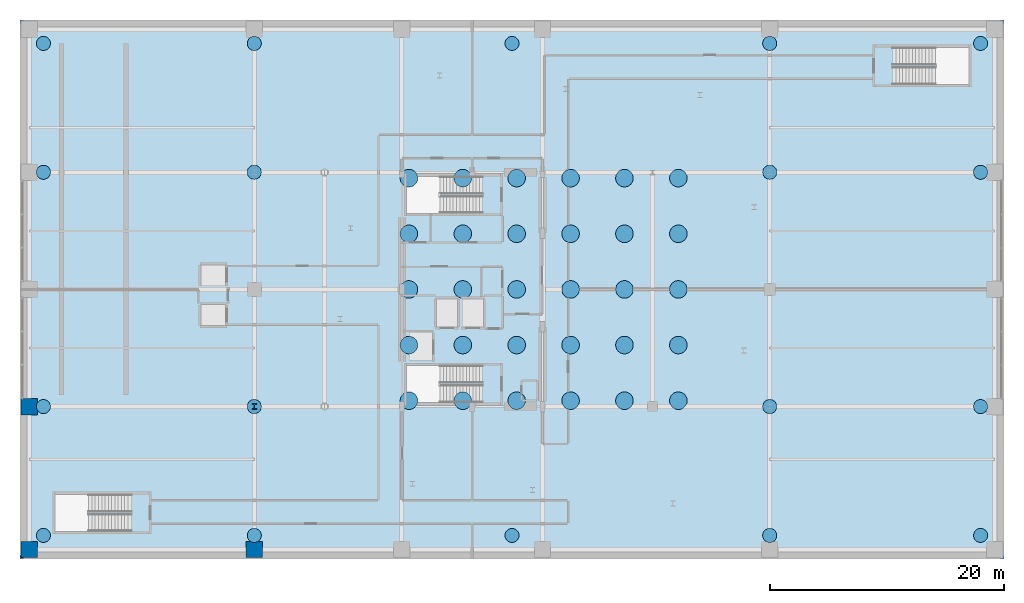
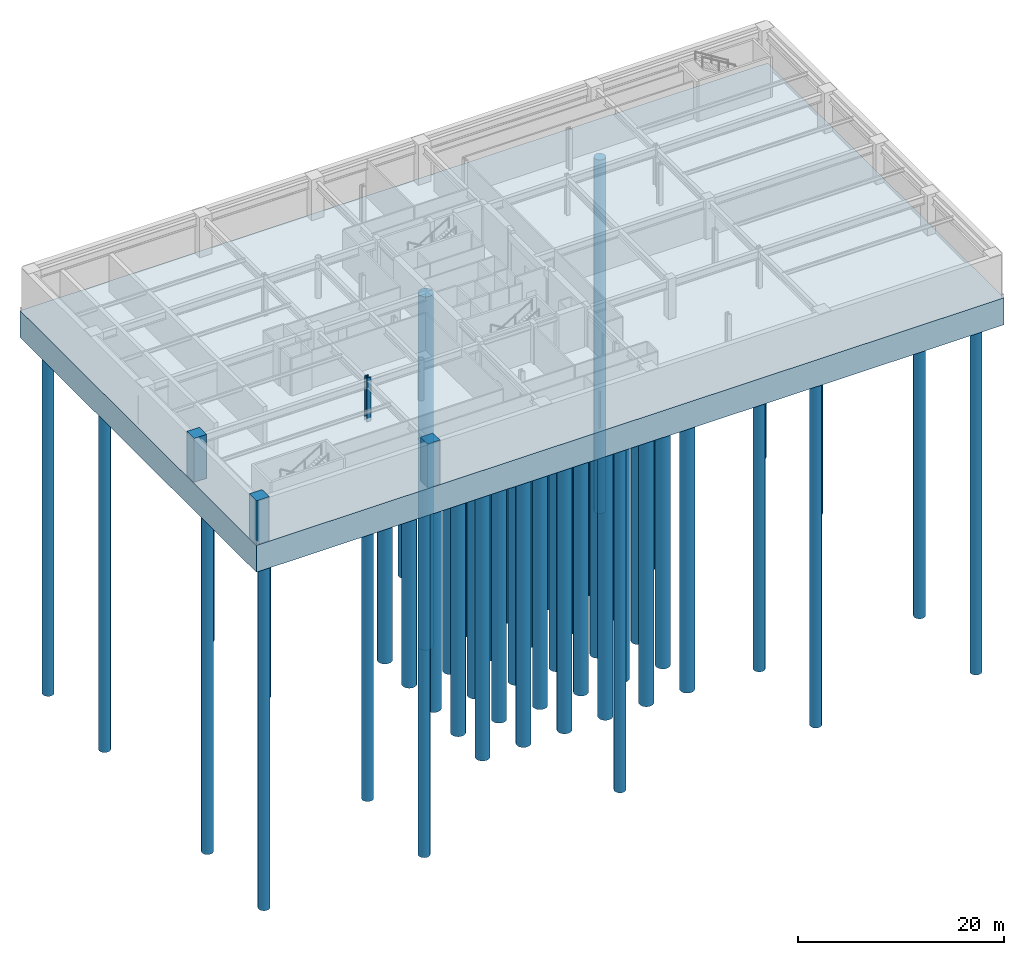
# One storey, part 1 of 25: 48 piles, 4 columns, 1 footing.
"""IFC4 building model written with IfcOpenShell, lengths in metres."""

from ifc_helpers import new_model, si_unit, direction, frame, origin, origin_2d, place, context, subcontext, project, spatial, polyline, rectangle, circle, i_section, outline, extrude, material, layer, layer_set, material_profile, profile_set, type_object, element, save


model = new_model("IFC4")

# Units and contexts
model_context = context("Model", 3, precision=1e-05, world=origin(), true_north=direction((0.0, 1.0)))
body_context = subcontext(model_context, "Body", "Model", "MODEL_VIEW")
ifc_project = project(units=[si_unit("LENGTHUNIT", "METRE"), si_unit("AREAUNIT", "SQUARE_METRE"), si_unit("VOLUMEUNIT", "CUBIC_METRE"), si_unit("PLANEANGLEUNIT", "RADIAN"), si_unit("MASSUNIT", "GRAM", prefix="KILO")], contexts=[model_context])

# Site, building, storey
site_placement = place(None, origin())
site = spatial("IfcSite", under=ifc_project, at=site_placement, CompositionType="ELEMENT")
building_placement = place(site_placement, origin())
building = spatial("IfcBuilding", under=site, at=building_placement, Name="Soratama Intermodal Tower", CompositionType="ELEMENT")
storey_placement = place(building_placement, frame((0.0, 0.0, -10.199951171875)))
storey = spatial("IfcBuildingStorey", under=building, at=storey_placement, Name="B2", CompositionType="ELEMENT", Elevation=-10.199951171875)

# Footing
ifc_material_1 = material(Name="Concrete f'c 42 MPa", Category="concrete")
ifc_layer = layer(ifc_material_1, 3.199951171875)
ifc_layer_set = layer_set([ifc_layer], Name="Concrete f'c 42 MPa")
footing_type = type_object("IfcFootingType", Name="FT-RAFT-3200", PredefinedType="CAISSON_FOUNDATION", material=ifc_layer_set)
footing_placement = place(storey_placement, frame((0.0, 0.0, -3.60009765625)))
element("IfcFooting", 1, at=footing_placement, inside=storey, type_object=footing_type, Name="B2 Piled Foundation Raft", PredefinedType="CAISSON_FOUNDATION", context=body_context, shape_type="SweptSolid", body=[
    extrude(outline(polyline([(0.0, 2.0), (84.0, 2.0), (84.0, 48.0), (0.0, 48.0), (0.0, 2.0)])), origin(), (0.0, 0.0, 1.0), 3.199951171875),
])

# Piles
ifc_material_2 = material(Name="Concrete f'c 42 MPa", Category="concrete")
ifc_material_profile_1 = material_profile(ifc_material_2, circle(Radius=0.60009765625, at=origin_2d()), Name="PILE1200")
ifc_profile_set_1 = profile_set([ifc_material_profile_1], Name="Concrete f'c 42 MPa")
pile_type_1 = type_object("IfcPileType", Name="PL-BORED-1200", PredefinedType="BORED", material=ifc_profile_set_1)
for number, where, z_axis, x_axis, name in (
    (2, (2.0, 4.0, -3.300048828125), (0.0, 0.0, -1.0), (1.0, 0.0, 0.0), "Bored Pile PL2-001"),
    (3, (20.0, 4.0, -3.300048828125), (0.0, 0.0, -1.0), (1.0, 0.0, 0.0), "Bored Pile PL2-002"),
    (4, (42.0, 4.0, -3.300048828125), (0.0, 0.0, -1.0), (1.0, 0.0, 0.0), "Bored Pile PL2-003"),
    (5, (64.0, 4.0, -3.300048828125), (0.0, 0.0, -1.0), (1.0, 0.0, 0.0), "Bored Pile PL2-004"),
    (6, (82.0, 4.0, -3.300048828125), (0.0, 0.0, -1.0), (1.0, 0.0, 0.0), "Bored Pile PL2-005"),
    (7, (2.0, 15.0, -3.300048828125), (0.0, 0.0, -1.0), (1.0, 0.0, 0.0), "Bored Pile PL2-006"),
    (8, (20.0, 15.0, -3.300048828125), (0.0, 0.0, -1.0), (1.0, 0.0, 0.0), "Bored Pile PL2-007"),
    (9, (64.0, 15.0, -3.300048828125), (0.0, 0.0, -1.0), (1.0, 0.0, 0.0), "Bored Pile PL2-008"),
    (10, (82.0, 15.0, -3.300048828125), (0.0, 0.0, -1.0), (1.0, 0.0, 0.0), "Bored Pile PL2-009"),
    (11, (2.0, 35.0, -3.300048828125), (0.0, 0.0, -1.0), (1.0, 0.0, 0.0), "Bored Pile PL2-010"),
    (12, (20.0, 35.0, -3.300048828125), (0.0, 0.0, -1.0), (1.0, 0.0, 0.0), "Bored Pile PL2-011"),
    (13, (64.0, 35.0, -3.300048828125), (0.0, 0.0, -1.0), (1.0, 0.0, 0.0), "Bored Pile PL2-012"),
    (14, (82.0, 35.0, -3.300048828125), (0.0, 0.0, -1.0), (1.0, 0.0, 0.0), "Bored Pile PL2-013"),
    (15, (2.0, 46.0, -3.300048828125), (0.0, 0.0, -1.0), (1.0, 0.0, 0.0), "Bored Pile PL2-014"),
    (16, (20.0, 46.0, -3.300048828125), (0.0, 0.0, -1.0), (1.0, 0.0, 0.0), "Bored Pile PL2-015"),
    (17, (42.0, 46.0, -3.300048828125), (0.0, 0.0, -1.0), (1.0, 0.0, 0.0), "Bored Pile PL2-016"),
    (18, (64.0, 46.0, -3.300048828125), (0.0, 0.0, -1.0), (1.0, 0.0, 0.0), "Bored Pile PL2-017"),
    (19, (82.0, 46.0, -3.300048828125), (0.0, 0.0, -1.0), (1.0, 0.0, 0.0), "Bored Pile PL2-018"),
):
    element("IfcPile", number, at=place(storey_placement, frame(where, z_axis=z_axis, x_axis=x_axis)), inside=storey, type_object=pile_type_1, Name=name, PredefinedType="BORED", context=body_context, shape_type="SweptSolid", body=[
        extrude(circle(Radius=0.60009765625, at=origin_2d()), origin(), (0.0, 0.0, 1.0), 42.0),
    ])
ifc_material_3 = material(Name="Concrete f'c 42 MPa", Category="concrete")
ifc_material_profile_2 = material_profile(ifc_material_3, circle(Radius=0.75, at=origin_2d()), Name="PILE1500")
ifc_profile_set_2 = profile_set([ifc_material_profile_2], Name="Concrete f'c 42 MPa")
pile_type_2 = type_object("IfcPileType", Name="PL-BORED-1500", PredefinedType="BORED", material=ifc_profile_set_2)
for number, where, z_axis, x_axis, name in (
    (20, (33.199951171875, 15.5, -3.300048828125), (0.0, 0.0, -1.0), (1.0, 0.0, 0.0), "Bored Pile PL1-001"),
    (21, (33.199951171875, 20.25, -3.300048828125), (0.0, 0.0, -1.0), (1.0, 0.0, 0.0), "Bored Pile PL1-002"),
    (22, (33.199951171875, 25.0, -3.300048828125), (0.0, 0.0, -1.0), (1.0, 0.0, 0.0), "Bored Pile PL1-003"),
    (23, (33.199951171875, 29.75, -3.300048828125), (0.0, 0.0, -1.0), (1.0, 0.0, 0.0), "Bored Pile PL1-004"),
    (24, (33.199951171875, 34.5, -3.300048828125), (0.0, 0.0, -1.0), (1.0, 0.0, 0.0), "Bored Pile PL1-005"),
    (25, (37.800048828125, 15.5, -3.300048828125), (0.0, 0.0, -1.0), (1.0, 0.0, 0.0), "Bored Pile PL1-006"),
    (26, (37.800048828125, 20.25, -3.300048828125), (0.0, 0.0, -1.0), (1.0, 0.0, 0.0), "Bored Pile PL1-007"),
    (27, (37.800048828125, 25.0, -3.300048828125), (0.0, 0.0, -1.0), (1.0, 0.0, 0.0), "Bored Pile PL1-008"),
    (28, (37.800048828125, 29.75, -3.300048828125), (0.0, 0.0, -1.0), (1.0, 0.0, 0.0), "Bored Pile PL1-009"),
    (29, (37.800048828125, 34.5, -3.300048828125), (0.0, 0.0, -1.0), (1.0, 0.0, 0.0), "Bored Pile PL1-010"),
    (30, (42.39990234375, 15.5, -3.300048828125), (0.0, 0.0, -1.0), (1.0, 0.0, 0.0), "Bored Pile PL1-011"),
    (31, (42.39990234375, 20.25, -3.300048828125), (0.0, 0.0, -1.0), (1.0, 0.0, 0.0), "Bored Pile PL1-012"),
    (32, (42.39990234375, 25.0, -3.300048828125), (0.0, 0.0, -1.0), (1.0, 0.0, 0.0), "Bored Pile PL1-013"),
    (33, (42.39990234375, 29.75, -3.300048828125), (0.0, 0.0, -1.0), (1.0, 0.0, 0.0), "Bored Pile PL1-014"),
    (34, (42.39990234375, 34.5, -3.300048828125), (0.0, 0.0, -1.0), (1.0, 0.0, 0.0), "Bored Pile PL1-015"),
    (35, (47.0, 15.5, -3.300048828125), (0.0, 0.0, -1.0), (1.0, 0.0, 0.0), "Bored Pile PL1-016"),
    (36, (47.0, 20.25, -3.300048828125), (0.0, 0.0, -1.0), (1.0, 0.0, 0.0), "Bored Pile PL1-017"),
    (37, (47.0, 25.0, -3.300048828125), (0.0, 0.0, -1.0), (1.0, 0.0, 0.0), "Bored Pile PL1-018"),
    (38, (47.0, 29.75, -3.300048828125), (0.0, 0.0, -1.0), (1.0, 0.0, 0.0), "Bored Pile PL1-019"),
    (39, (47.0, 34.5, -3.300048828125), (0.0, 0.0, -1.0), (1.0, 0.0, 0.0), "Bored Pile PL1-020"),
    (40, (51.60009765625, 15.5, -3.300048828125), (0.0, 0.0, -1.0), (1.0, 0.0, 0.0), "Bored Pile PL1-021"),
    (41, (51.60009765625, 20.25, -3.300048828125), (0.0, 0.0, -1.0), (1.0, 0.0, 0.0), "Bored Pile PL1-022"),
    (42, (51.60009765625, 25.0, -3.300048828125), (0.0, 0.0, -1.0), (1.0, 0.0, 0.0), "Bored Pile PL1-023"),
    (43, (51.60009765625, 29.75, -3.300048828125), (0.0, 0.0, -1.0), (1.0, 0.0, 0.0), "Bored Pile PL1-024"),
    (44, (51.60009765625, 34.5, -3.300048828125), (0.0, 0.0, -1.0), (1.0, 0.0, 0.0), "Bored Pile PL1-025"),
    (45, (56.199951171875, 15.5, -3.300048828125), (0.0, 0.0, -1.0), (1.0, 0.0, 0.0), "Bored Pile PL1-026"),
    (46, (56.199951171875, 20.25, -3.300048828125), (0.0, 0.0, -1.0), (1.0, 0.0, 0.0), "Bored Pile PL1-027"),
    (47, (56.199951171875, 25.0, -3.300048828125), (0.0, 0.0, -1.0), (1.0, 0.0, 0.0), "Bored Pile PL1-028"),
    (48, (56.199951171875, 29.75, -3.300048828125), (0.0, 0.0, -1.0), (1.0, 0.0, 0.0), "Bored Pile PL1-029"),
    (49, (56.199951171875, 34.5, -3.300048828125), (0.0, 0.0, -1.0), (1.0, 0.0, 0.0), "Bored Pile PL1-030"),
):
    element("IfcPile", number, at=place(storey_placement, frame(where, z_axis=z_axis, x_axis=x_axis)), inside=storey, type_object=pile_type_2, Name=name, PredefinedType="BORED", context=body_context, shape_type="SweptSolid", body=[
        extrude(circle(Radius=0.75, at=origin_2d()), origin(), (0.0, 0.0, 1.0), 42.0),
    ])

# Columns
ifc_material_4 = material(Name="Concrete f'c 56 MPa", Category="concrete")
ifc_material_profile_3 = material_profile(ifc_material_4, rectangle(XDim=1.39990234375, YDim=1.39990234375, at=origin_2d()), Name="RC1400X1400")
ifc_profile_set_3 = profile_set([ifc_material_profile_3], Name="Concrete f'c 56 MPa")
column_type_1 = type_object("IfcColumnType", Name="COL-POD-EXT-RC1400", PredefinedType="COLUMN", material=ifc_profile_set_3)
for number, where, z_axis, x_axis, name in (
    (50, (0.800048828125, 2.800048828125, -0.400146484375), (0.0, 0.0, 1.0), (1.0, 0.0, 0.0), "B2 Station Column P01"),
    (51, (20.0, 2.800048828125, -0.400146484375), (0.0, 0.0, 1.0), (1.0, 0.0, 0.0), "B2 Station Column P02"),
    (52, (0.800048828125, 15.0, -0.400146484375), (0.0, 0.0, 1.0), (1.0, 0.0, 0.0), "B2 Station Column P05"),
):
    element("IfcColumn", number, at=place(storey_placement, frame(where, z_axis=z_axis, x_axis=x_axis)), inside=storey, type_object=column_type_1, Name=name, PredefinedType="COLUMN", context=body_context, shape_type="SweptSolid", body=[
        extrude(rectangle(XDim=1.39990234375, YDim=1.39990234375, at=origin_2d()), origin(), (0.0, 0.0, 1.0), 5.2001953125),
    ])
ifc_material_5 = material(Name="Structural steel ASTM A992 Grade 50", Category="steel")
ifc_material_profile_4 = material_profile(ifc_material_5, i_section(OverallWidth=0.431884765625, OverallDepth=0.498046875, WebThickness=0.0556640625, FlangeThickness=0.0888671875, FilletRadius=0.0380859375, at=origin_2d()), Name="W14X500")
ifc_profile_set_4 = profile_set([ifc_material_profile_4], Name="Structural steel ASTM A992 Grade 50")
column_type_2 = type_object("IfcColumnType", Name="COL-POD-W14X500", PredefinedType="COLUMN", material=ifc_profile_set_4)
column_placement = place(storey_placement, frame((20.0, 15.0, -0.400146484375), z_axis=(0.0, 0.0, 1.0), x_axis=(1.0, 0.0, 0.0)))
element("IfcColumn", 53, at=column_placement, inside=storey, type_object=column_type_2, Name="B2 Station Column P06", PredefinedType="COLUMN", context=body_context, shape_type="SweptSolid", body=[
    extrude(i_section(OverallWidth=0.431884765625, OverallDepth=0.498046875, WebThickness=0.0556640625, FlangeThickness=0.0888671875, FilletRadius=0.0380859375, at=origin_2d()), origin(), (0.0, 0.0, 1.0), 5.2001953125),
])

save(model, "model.ifc")
